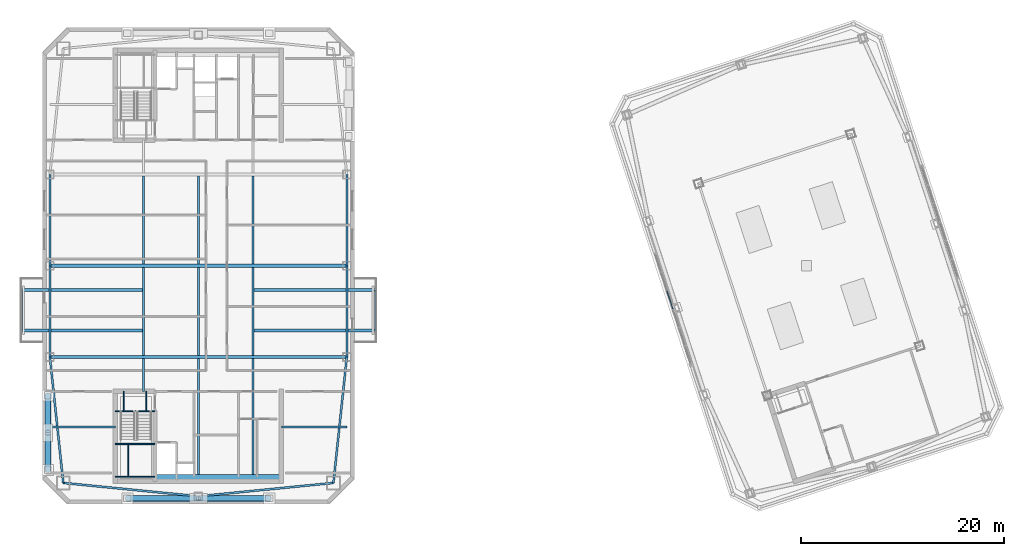
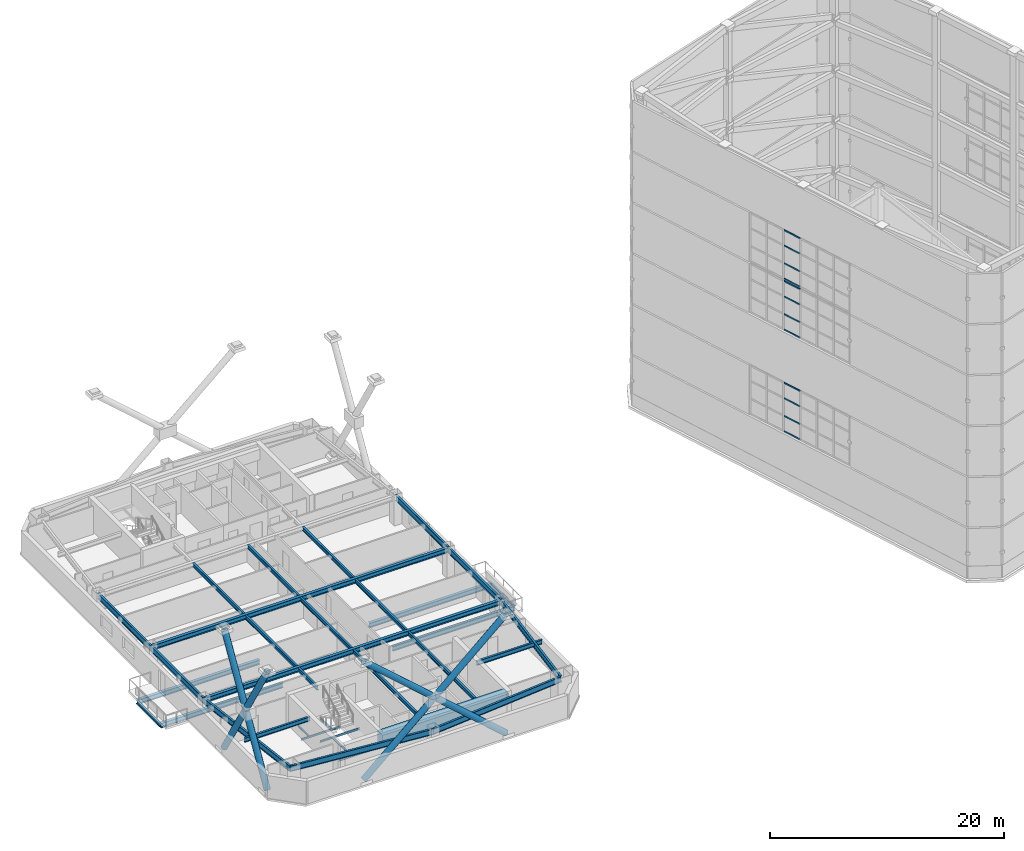
# One storey, part 4 of 56: 34 beams, 20 members, 3 elements without a shape of their own.
"""IFC4 building model written with IfcOpenShell, lengths in metres."""

from ifc_helpers import new_model, si_unit, direction, frame, origin, origin_2d, place, context, subcontext, project, spatial, rectangle, hollow_rectangle, hollow_circle, i_section, extrude, material, layer, layer_set, material_profile, profile_set, type_object, element, aggregate, save


model = new_model("IFC4")

# Units and contexts
model_context = context("Model", 3, precision=1e-05, world=origin(), true_north=direction((0.0, 1.0)))
body_context = subcontext(model_context, "Body", "Model", "MODEL_VIEW")
ifc_project = project(units=[si_unit("LENGTHUNIT", "METRE"), si_unit("AREAUNIT", "SQUARE_METRE"), si_unit("VOLUMEUNIT", "CUBIC_METRE"), si_unit("PLANEANGLEUNIT", "RADIAN"), si_unit("MASSUNIT", "GRAM", prefix="KILO")], contexts=[model_context])

# Site, building, storey
site_placement = place(None, origin())
site = spatial("IfcSite", under=ifc_project, at=site_placement, CompositionType="ELEMENT")
building_placement = place(site_placement, origin())
building = spatial("IfcBuilding", under=site, at=building_placement, Name="Qiaolan Cultural Towers", CompositionType="ELEMENT")
storey_placement = place(building_placement, frame((0.0, 0.0, 250.39990234375)))
storey = spatial("IfcBuildingStorey", under=building, at=storey_placement, Name="L68", CompositionType="ELEMENT", Elevation=250.39990234375)

# Beams
ifc_material_1 = material(Name="Steel Q355B", Category="steel")
ifc_material_profile_1 = material_profile(ifc_material_1, i_section(OverallWidth=0.300048828125, OverallDepth=0.488037109375, WebThickness=0.010986328125, FlangeThickness=0.01806640625, at=origin_2d()), Name="HM488x300x11x18")
ifc_profile_set_1 = profile_set([ifc_material_profile_1], Name="Steel Q355B")
beam_type_1 = type_object("IfcBeamType", Name="BM-HM488x300x11x18", PredefinedType="BEAM", material=ifc_profile_set_1)
for number, where, z_axis, x_axis, name in (
    (1, (24.60009765625, 27.60009765625, -0.52392578125), (-1.0, 0.0, 0.0), (0.0, -1.0, 0.0), "L68 T1 Tree Balcony Back-Spanned Bracket Beam"),
    (2, (24.60009765625, 31.60009765625, -0.52392578125), (-1.0, 0.0, 0.0), (0.0, -1.0, 0.0), "L68 T1 Tree Balcony Back-Spanned Bracket Beam"),
    (3, (35.39990234375, 27.60009765625, -0.52392578125), (1.0, 0.0, 0.0), (0.0, 1.0, 0.0), "L68 T1 Tree Balcony Back-Spanned Bracket Beam"),
    (4, (35.39990234375, 31.60009765625, -0.52392578125), (1.0, 0.0, 0.0), (0.0, 1.0, 0.0), "L68 T1 Tree Balcony Back-Spanned Bracket Beam"),
):
    element("IfcBeam", number, at=place(storey_placement, frame(where, z_axis=z_axis, x_axis=x_axis)), inside=storey, type_object=beam_type_1, Name=name, PredefinedType="BEAM", context=body_context, shape_type="SweptSolid", body=[
        extrude(i_section(OverallWidth=0.300048828125, OverallDepth=0.488037109375, WebThickness=0.010986328125, FlangeThickness=0.01806640625, at=origin_2d()), origin(), (0.0, 0.0, 1.0), 12.050048828125),
    ])
for number, where, z_axis, x_axis, name in (
    (5, (15.35009765625, 25.0, 2.696044921875), (1.0, 0.0, 0.0), (0.0, 1.0, 0.0), "L68 T1 Primary Transverse Girder V1"),
    (6, (15.35009765625, 34.0, 2.696044921875), (1.0, 0.0, 0.0), (0.0, 1.0, 0.0), "L68 T1 Primary Transverse Girder V2"),
):
    element("IfcBeam", number, at=place(storey_placement, frame(where, z_axis=z_axis, x_axis=x_axis)), inside=storey, type_object=beam_type_1, Name=name, PredefinedType="BEAM", context=body_context, shape_type="SweptSolid", body=[
        extrude(i_section(OverallWidth=0.300048828125, OverallDepth=0.488037109375, WebThickness=0.010986328125, FlangeThickness=0.01806640625, at=origin_2d()), origin(), (0.0, 0.0, 1.0), 29.2998046875),
    ])
ifc_material_2 = material(Name="Steel Q355B", Category="steel")
ifc_material_profile_2 = material_profile(ifc_material_2, i_section(OverallWidth=0.175048828125, OverallDepth=0.35009765625, WebThickness=0.007080078125, FlangeThickness=0.010986328125, at=origin_2d()), Name="HN350x175x7x11")
ifc_profile_set_2 = profile_set([ifc_material_profile_2], Name="Steel Q355B")
beam_type_2 = type_object("IfcBeamType", Name="BM-JST-HN350x175x7x11", PredefinedType="JOIST", material=ifc_profile_set_2)
for number, where, z_axis, x_axis, name in (
    (7, (12.550048828125, 27.60009765625, -0.52392578125), (0.0, 1.0, 0.0), (-1.0, 0.0, 0.0), "L68 T1 Tree Balcony Outer Edge Beam"),
    (8, (47.449951171875, 27.60009765625, -0.52392578125), (0.0, 1.0, 0.0), (-1.0, 0.0, 0.0), "L68 T1 Tree Balcony Outer Edge Beam"),
):
    element("IfcBeam", number, at=place(storey_placement, frame(where, z_axis=z_axis, x_axis=x_axis)), inside=storey, type_object=beam_type_2, Name=name, PredefinedType="JOIST", context=body_context, shape_type="SweptSolid", body=[
        extrude(i_section(OverallWidth=0.175048828125, OverallDepth=0.35009765625, WebThickness=0.007080078125, FlangeThickness=0.010986328125, at=origin_2d()), origin(), (0.0, 0.0, 1.0), 4.0),
    ])
ifc_material_3 = material(Name="Steel Q355B", Category="steel")
ifc_material_profile_3 = material_profile(ifc_material_3, i_section(OverallWidth=0.199951171875, OverallDepth=0.39990234375, WebThickness=0.008056640625, FlangeThickness=0.012939453125, at=origin_2d()), Name="HN400x200x8x13")
ifc_profile_set_3 = profile_set([ifc_material_profile_3], Name="Steel Q355B")
beam_type_3 = type_object("IfcBeamType", Name="BM-JST-HN400x200x8x13", PredefinedType="JOIST", material=ifc_profile_set_3)
beam_1_placement = place(storey_placement, frame((24.60009765625, 21.60009765625, 2.739990234375), z_axis=(0.0, 1.0, 0.0), x_axis=(-1.0, 0.0, 0.0)))
element("IfcBeam", 9, at=beam_1_placement, inside=storey, type_object=beam_type_3, Name="L68 T1 Secondary Floor Joist U1-1", PredefinedType="JOIST", context=body_context, shape_type="SweptSolid", body=[
    extrude(i_section(OverallWidth=0.199951171875, OverallDepth=0.39990234375, WebThickness=0.008056640625, FlangeThickness=0.012939453125, at=origin_2d()), origin(), (0.0, 0.0, 1.0), 3.25),
])
for number, where, z_axis, x_axis, name in (
    (10, (24.60009765625, 25.14990234375, 2.739990234375), (0.0, 1.0, 0.0), (-1.0, 0.0, 0.0), "L68 T1 Secondary Floor Joist U1-2"),
    (11, (24.60009765625, 34.14990234375, 2.739990234375), (0.0, 1.0, 0.0), (-1.0, 0.0, 0.0), "L68 T1 Secondary Floor Joist U1-3"),
):
    element("IfcBeam", number, at=place(storey_placement, frame(where, z_axis=z_axis, x_axis=x_axis)), inside=storey, type_object=beam_type_3, Name=name, PredefinedType="JOIST", context=body_context, shape_type="SweptSolid", body=[
        extrude(i_section(OverallWidth=0.199951171875, OverallDepth=0.39990234375, WebThickness=0.008056640625, FlangeThickness=0.012939453125, at=origin_2d()), origin(), (0.0, 0.0, 1.0), 8.7001953125),
    ])
beam_2_placement = place(storey_placement, frame((30.0, 13.39990234375, 2.739990234375), z_axis=(0.0, 1.0, 0.0), x_axis=(-1.0, 0.0, 0.0)))
element("IfcBeam", 12, at=beam_2_placement, inside=storey, type_object=beam_type_3, Name="L68 T1 Secondary Floor Joist U2-1", PredefinedType="JOIST", context=body_context, shape_type="SweptSolid", body=[
    extrude(i_section(OverallWidth=0.199951171875, OverallDepth=0.39990234375, WebThickness=0.008056640625, FlangeThickness=0.012939453125, at=origin_2d()), origin(), (0.0, 0.0, 1.0), 11.4501953125),
])
for number, where, z_axis, x_axis, name in (
    (13, (30.0, 25.14990234375, 2.739990234375), (0.0, 1.0, 0.0), (-1.0, 0.0, 0.0), "L68 T1 Secondary Floor Joist U2-2"),
    (14, (30.0, 34.14990234375, 2.739990234375), (0.0, 1.0, 0.0), (-1.0, 0.0, 0.0), "L68 T1 Secondary Floor Joist U2-3"),
):
    element("IfcBeam", number, at=place(storey_placement, frame(where, z_axis=z_axis, x_axis=x_axis)), inside=storey, type_object=beam_type_3, Name=name, PredefinedType="JOIST", context=body_context, shape_type="SweptSolid", body=[
        extrude(i_section(OverallWidth=0.199951171875, OverallDepth=0.39990234375, WebThickness=0.008056640625, FlangeThickness=0.012939453125, at=origin_2d()), origin(), (0.0, 0.0, 1.0), 8.7001953125),
    ])
beam_3_placement = place(storey_placement, frame((35.39990234375, 13.39990234375, 2.739990234375), z_axis=(0.0, 1.0, 0.0), x_axis=(-1.0, 0.0, 0.0)))
element("IfcBeam", 15, at=beam_3_placement, inside=storey, type_object=beam_type_3, Name="L68 T1 Secondary Floor Joist U3-1", PredefinedType="JOIST", context=body_context, shape_type="SweptSolid", body=[
    extrude(i_section(OverallWidth=0.199951171875, OverallDepth=0.39990234375, WebThickness=0.008056640625, FlangeThickness=0.012939453125, at=origin_2d()), origin(), (0.0, 0.0, 1.0), 11.4501953125),
])
for number, where, z_axis, x_axis, name in (
    (16, (35.39990234375, 25.14990234375, 2.739990234375), (0.0, 1.0, 0.0), (-1.0, 0.0, 0.0), "L68 T1 Secondary Floor Joist U3-2"),
    (17, (35.39990234375, 34.14990234375, 2.739990234375), (0.0, 1.0, 0.0), (-1.0, 0.0, 0.0), "L68 T1 Secondary Floor Joist U3-3"),
):
    element("IfcBeam", number, at=place(storey_placement, frame(where, z_axis=z_axis, x_axis=x_axis)), inside=storey, type_object=beam_type_3, Name=name, PredefinedType="JOIST", context=body_context, shape_type="SweptSolid", body=[
        extrude(i_section(OverallWidth=0.199951171875, OverallDepth=0.39990234375, WebThickness=0.008056640625, FlangeThickness=0.012939453125, at=origin_2d()), origin(), (0.0, 0.0, 1.0), 8.7001953125),
    ])
ifc_material_4 = material(Name="Steel Q355B", Category="steel")
ifc_material_profile_4 = material_profile(ifc_material_4, i_section(OverallWidth=0.199951171875, OverallDepth=0.449951171875, WebThickness=0.009033203125, FlangeThickness=0.013916015625, at=origin_2d()), Name="HN450x200x9x14")
ifc_profile_set_4 = profile_set([ifc_material_profile_4], Name="Steel Q355B")
beam_type_4 = type_object("IfcBeamType", Name="BM-LNT-HN450x200x9x14", PredefinedType="LINTEL", material=ifc_profile_set_4)
for number, where, z_axis, x_axis, name in (
    (18, (21.800048828125, 18.10009765625, 2.715087890625), (-1.0, 0.0, 0.0), (0.0, -1.0, 0.0), "L68 T1 Core Flank Tie Lintel WS"),
    (19, (38.199951171875, 18.10009765625, 2.715087890625), (1.0, 0.0, 0.0), (0.0, 1.0, 0.0), "L68 T1 Core Flank Tie Lintel ES"),
):
    element("IfcBeam", number, at=place(storey_placement, frame(where, z_axis=z_axis, x_axis=x_axis)), inside=storey, type_object=beam_type_4, Name=name, PredefinedType="LINTEL", context=body_context, shape_type="SweptSolid", body=[
        extrude(i_section(OverallWidth=0.199951171875, OverallDepth=0.449951171875, WebThickness=0.009033203125, FlangeThickness=0.013916015625, at=origin_2d()), origin(), (0.0, 0.0, 1.0), 6.449951171875),
    ])
ifc_material_5 = material(Name="Concrete C50", Category="concrete")
ifc_material_profile_5 = material_profile(ifc_material_5, rectangle(XDim=0.89990234375, YDim=1.10009765625, at=origin_2d()), Name="RC900x1100")
ifc_profile_set_5 = profile_set([ifc_material_profile_5], Name="Concrete C50")
beam_type_5 = type_object("IfcBeamType", Name="BM-RC900x1100", PredefinedType="BEAM", material=ifc_profile_set_5)
beam_4_placement = place(storey_placement, frame((25.719970703125, 12.949951171875, 2.39013671875), z_axis=(1.0, 0.0, 0.0), x_axis=(0.0, 1.0, 0.0)))
element("IfcBeam", 20, at=beam_4_placement, inside=storey, type_object=beam_type_5, Name="L68 T1 Core Header Girder S", PredefinedType="BEAM", context=body_context, shape_type="SweptSolid", body=[
    extrude(rectangle(XDim=0.89990234375, YDim=1.10009765625, at=origin_2d()), origin(), (0.0, 0.0, 1.0), 12.47998046875),
])
ifc_material_6 = material(Name="Steel Q355B", Category="steel")
ifc_material_profile_6 = material_profile(ifc_material_6, i_section(OverallWidth=0.199951171875, OverallDepth=0.60009765625, WebThickness=0.010986328125, FlangeThickness=0.01708984375, at=origin_2d()), Name="HN600x200x11x17")
ifc_profile_set_6 = profile_set([ifc_material_profile_6], Name="Steel Q355B")
beam_type_6 = type_object("IfcBeamType", Name="BM-SPD-HN600x200x11x17", PredefinedType="SPANDREL", material=ifc_profile_set_6)
for number, where, z_axis, x_axis, name in (
    (21, (16.669921875, 12.570068359375, 2.64013671875), (0.995132371263, -0.098547266143, 0.0), (0.098547266143, 0.995132371263, 0.0), "L68 T1 Perimeter Spandrel Beam 1"),
    (22, (30.0, 11.25, 2.64013671875), (0.995132371263, 0.098547266143, 0.0), (-0.098547266143, 0.995132371263, 0.0), "L68 T1 Perimeter Spandrel Beam 2"),
):
    element("IfcBeam", number, at=place(storey_placement, frame(where, z_axis=z_axis, x_axis=x_axis)), inside=storey, type_object=beam_type_6, Name=name, PredefinedType="SPANDREL", context=body_context, shape_type="SweptSolid", body=[
        extrude(i_section(OverallWidth=0.199951171875, OverallDepth=0.60009765625, WebThickness=0.010986328125, FlangeThickness=0.01708984375, at=origin_2d()), origin(), (0.0, 0.0, 1.0), 13.395263671875),
    ])
beam_5_placement = place(storey_placement, frame((43.330078125, 12.570068359375, 2.64013671875), z_axis=(0.105587580773, 0.994410007384, 0.0), x_axis=(-0.994410007384, 0.105587580773, 0.0)))
element("IfcBeam", 23, at=beam_5_placement, inside=storey, type_object=beam_type_6, Name="L68 T1 Perimeter Spandrel Beam 3", PredefinedType="SPANDREL", context=body_context, shape_type="SweptSolid", body=[
    extrude(i_section(OverallWidth=0.199951171875, OverallDepth=0.60009765625, WebThickness=0.010986328125, FlangeThickness=0.01708984375, at=origin_2d()), origin(), (0.0, 0.0, 1.0), 12.499755859375),
])
for number, where, z_axis, x_axis, name in (
    (24, (44.64990234375, 25.0, 2.64013671875), (0.0, 1.0, 0.0), (-1.0, 0.0, 0.0), "L68 T1 Perimeter Spandrel Beam 4"),
    (25, (44.64990234375, 34.0, 2.64013671875), (0.0, 1.0, 0.0), (-1.0, 0.0, 0.0), "L68 T1 Perimeter Spandrel Beam 5"),
    (26, (15.35009765625, 43.0, 2.64013671875), (0.0, -1.0, 0.0), (1.0, 0.0, 0.0), "L68 T1 Perimeter Spandrel Beam 10"),
    (27, (15.35009765625, 34.0, 2.64013671875), (0.0, -1.0, 0.0), (1.0, 0.0, 0.0), "L68 T1 Perimeter Spandrel Beam 11"),
):
    element("IfcBeam", number, at=place(storey_placement, frame(where, z_axis=z_axis, x_axis=x_axis)), inside=storey, type_object=beam_type_6, Name=name, PredefinedType="SPANDREL", context=body_context, shape_type="SweptSolid", body=[
        extrude(i_section(OverallWidth=0.199951171875, OverallDepth=0.60009765625, WebThickness=0.010986328125, FlangeThickness=0.01708984375, at=origin_2d()), origin(), (0.0, 0.0, 1.0), 9.0),
    ])
beam_6_placement = place(storey_placement, frame((15.35009765625, 25.0, 2.64013671875), z_axis=(0.105587580773, -0.994410007384, 0.0), x_axis=(0.994410007384, 0.105587580773, 0.0)))
element("IfcBeam", 28, at=beam_6_placement, inside=storey, type_object=beam_type_6, Name="L68 T1 Perimeter Spandrel Beam 12", PredefinedType="SPANDREL", context=body_context, shape_type="SweptSolid", body=[
    extrude(i_section(OverallWidth=0.199951171875, OverallDepth=0.60009765625, WebThickness=0.010986328125, FlangeThickness=0.01708984375, at=origin_2d()), origin(), (0.0, 0.0, 1.0), 12.499755859375),
])
ifc_material_7 = material(Name="Steel Q355B", Category="steel")
ifc_material_profile_7 = material_profile(ifc_material_7, i_section(OverallWidth=0.10009765625, OverallDepth=0.199951171875, WebThickness=0.005615234375, FlangeThickness=0.008056640625, at=origin_2d()), Name="HN200x100x5.5x8")
ifc_profile_set_7 = profile_set([ifc_material_profile_7], Name="Steel Q355B")
beam_type_7 = type_object("IfcBeamType", Name="BM-STTRIM-200", PredefinedType="BEAM", material=ifc_profile_set_7)
beam_7_placement = place(storey_placement, frame((21.800048828125, 19.659912109375, -0.4599609375), z_axis=(1.0, 0.0, 0.0), x_axis=(0.0, 1.0, 0.0)))
element("IfcBeam", 29, at=beam_7_placement, inside=storey, type_object=beam_type_7, Name="L68 ST-W1 Floor Landing Header Beam", PredefinedType="BEAM", context=body_context, shape_type="SweptSolid", body=[
    extrude(i_section(OverallWidth=0.10009765625, OverallDepth=0.199951171875, WebThickness=0.005615234375, FlangeThickness=0.008056640625, at=origin_2d()), origin(), (0.0, 0.0, 1.0), 3.919921875),
])
for number, where, z_axis, x_axis, name in (
    (30, (22.64990234375, 21.60009765625, -0.4599609375), (0.0, -1.0, 0.0), (1.0, 0.0, 0.0), "L68 ST-W1 Floor Landing Stringer 1"),
    (31, (24.85009765625, 21.60009765625, -0.4599609375), (0.0, -1.0, 0.0), (1.0, 0.0, 0.0), "L68 ST-W1 Floor Landing Stringer 2"),
):
    element("IfcBeam", number, at=place(storey_placement, frame(where, z_axis=z_axis, x_axis=x_axis)), inside=storey, type_object=beam_type_7, Name=name, PredefinedType="BEAM", context=body_context, shape_type="SweptSolid", body=[
        extrude(i_section(OverallWidth=0.10009765625, OverallDepth=0.199951171875, WebThickness=0.005615234375, FlangeThickness=0.008056640625, at=origin_2d()), origin(), (0.0, 0.0, 1.0), 1.940185546875),
    ])
for number, where, z_axis, x_axis, name in (
    (32, (21.800048828125, 16.411376953125, 1.300048828125), (1.0, 0.0, 0.0), (0.0, 1.0, 0.0), "L68 ST-W1 Stair Landing Support Beam 1-1"),
    (33, (21.800048828125, 13.179931640625, 1.300048828125), (1.0, 0.0, 0.0), (0.0, 1.0, 0.0), "L68 ST-W1 Stair Landing Support Beam 1-2"),
):
    element("IfcBeam", number, at=place(storey_placement, frame(where, z_axis=z_axis, x_axis=x_axis)), inside=storey, type_object=beam_type_7, Name=name, PredefinedType="BEAM", context=body_context, shape_type="SweptSolid", body=[
        extrude(i_section(OverallWidth=0.10009765625, OverallDepth=0.199951171875, WebThickness=0.005615234375, FlangeThickness=0.008056640625, at=origin_2d()), origin(), (0.0, 0.0, 1.0), 3.919921875),
    ])
beam_8_placement = place(storey_placement, frame((23.070068359375, 16.411376953125, 1.300048828125), z_axis=(0.0, -1.0, 0.0), x_axis=(1.0, 0.0, 0.0)))
element("IfcBeam", 34, at=beam_8_placement, inside=storey, type_object=beam_type_7, Name="L68 ST-W1 Stair Landing Trimmer 1", PredefinedType="BEAM", context=body_context, shape_type="SweptSolid", body=[
    extrude(i_section(OverallWidth=0.10009765625, OverallDepth=0.199951171875, WebThickness=0.005615234375, FlangeThickness=0.008056640625, at=origin_2d()), origin(), (0.0, 0.0, 1.0), 3.2314453125),
])

# Curtain wall, members
ifc_material_8 = material(Name="Unitized Anodized Aluminium Curtain Wall System", Category="aluminium")
ifc_layer = layer(ifc_material_8, 0.199951171875)
ifc_layer_set = layer_set([ifc_layer], Name="Unitized Anodized Aluminium Curtain Wall System")
curtain_wall_type = type_object("IfcCurtainWallType", Name="CWS-06", PredefinedType="NOTDEFINED", material=ifc_layer_set)
curtain_wall_1_placement = place(storey_placement, origin())
curtain_wall_1 = element("IfcCurtainWall", 35, at=curtain_wall_1_placement, inside=storey, type_object=curtain_wall_type, Name="T2 Crown Tier 2 Fritted Screen Curtain Wall 7", PredefinedType="NOTDEFINED")
ifc_material_9 = material(Name="Extruded Aluminium 6063-T6", Category="aluminium")
ifc_material_profile_8 = material_profile(ifc_material_9, hollow_rectangle(XDim=0.06494140625, YDim=0.14990234375, WallThickness=0.00390625, at=origin_2d()), Name="CWT-150x65x4")
ifc_profile_set_8 = profile_set([ifc_material_profile_8], Name="Extruded Aluminium 6063-T6")
member_type_1 = type_object("IfcMemberType", Name="CWS-06-TRN", PredefinedType="USERDEFINED", material=ifc_profile_set_8)
member_1_placement = place(storey_placement, frame((76.24609375, 31.510498046875, 5.4326171875), z_axis=(0.30899331187, -0.951064210882, 0.0), x_axis=(0.951064210882, 0.30899331187, 0.0)))
member_1 = element("IfcMember", 36, at=member_1_placement, type_object=member_type_1, Name="CW-6 transom 3.1", ObjectType="TRANSOM", PredefinedType="USERDEFINED", context=body_context, shape_type="SweptSolid", body=[
    extrude(hollow_rectangle(XDim=0.06494140625, YDim=0.14990234375, WallThickness=0.00390625, at=origin_2d()), origin(), (0.0, 0.0, 1.0), 1.844970703125),
])
member_2_placement = place(storey_placement, frame((76.24609375, 31.510498046875, 7.030029296875), z_axis=(0.30899331187, -0.951064210882, 0.0), x_axis=(0.951064210882, 0.30899331187, 0.0)))
member_2 = element("IfcMember", 37, at=member_2_placement, type_object=member_type_1, Name="CW-6 transom 3.2", ObjectType="TRANSOM", PredefinedType="USERDEFINED", context=body_context, shape_type="SweptSolid", body=[
    extrude(hollow_rectangle(XDim=0.06494140625, YDim=0.14990234375, WallThickness=0.00390625, at=origin_2d()), origin(), (0.0, 0.0, 1.0), 1.844970703125),
])
member_3_placement = place(storey_placement, frame((76.24609375, 31.510498046875, 8.8701171875), z_axis=(0.30899331187, -0.951064210882, 0.0), x_axis=(0.951064210882, 0.30899331187, 0.0)))
member_3 = element("IfcMember", 38, at=member_3_placement, type_object=member_type_1, Name="CW-6 transom 3.3", ObjectType="TRANSOM", PredefinedType="USERDEFINED", context=body_context, shape_type="SweptSolid", body=[
    extrude(hollow_rectangle(XDim=0.06494140625, YDim=0.14990234375, WallThickness=0.00390625, at=origin_2d()), origin(), (0.0, 0.0, 1.0), 1.844970703125),
])
member_4_placement = place(storey_placement, frame((76.24609375, 31.510498046875, 10.467529296875), z_axis=(0.30899331187, -0.951064210882, 0.0), x_axis=(0.951064210882, 0.30899331187, 0.0)))
member_4 = element("IfcMember", 39, at=member_4_placement, type_object=member_type_1, Name="CW-6 transom 3.4", ObjectType="TRANSOM", PredefinedType="USERDEFINED", context=body_context, shape_type="SweptSolid", body=[
    extrude(hollow_rectangle(XDim=0.06494140625, YDim=0.14990234375, WallThickness=0.00390625, at=origin_2d()), origin(), (0.0, 0.0, 1.0), 1.844970703125),
])
aggregate(curtain_wall_1, [member_1, member_2, member_3, member_4])

curtain_wall_2_placement = place(storey_placement, origin())
curtain_wall_2 = element("IfcCurtainWall", 40, at=curtain_wall_2_placement, inside=storey, type_object=curtain_wall_type, Name="T2 Crown Tier 4 Fritted Screen Curtain Wall 7", PredefinedType="NOTDEFINED")
member_5_placement = place(storey_placement, frame((76.24609375, 31.510498046875, 16.03271484375), z_axis=(0.30899331187, -0.951064210882, 0.0), x_axis=(0.951064210882, 0.30899331187, 0.0)))
member_5 = element("IfcMember", 41, at=member_5_placement, type_object=member_type_1, Name="CW-6 transom 3.1", ObjectType="TRANSOM", PredefinedType="USERDEFINED", context=body_context, shape_type="SweptSolid", body=[
    extrude(hollow_rectangle(XDim=0.06494140625, YDim=0.14990234375, WallThickness=0.00390625, at=origin_2d()), origin(), (0.0, 0.0, 1.0), 1.844970703125),
])
member_6_placement = place(storey_placement, frame((76.24609375, 31.510498046875, 17.630126953125), z_axis=(0.30899331187, -0.951064210882, 0.0), x_axis=(0.951064210882, 0.30899331187, 0.0)))
member_6 = element("IfcMember", 42, at=member_6_placement, type_object=member_type_1, Name="CW-6 transom 3.2", ObjectType="TRANSOM", PredefinedType="USERDEFINED", context=body_context, shape_type="SweptSolid", body=[
    extrude(hollow_rectangle(XDim=0.06494140625, YDim=0.14990234375, WallThickness=0.00390625, at=origin_2d()), origin(), (0.0, 0.0, 1.0), 1.844970703125),
])
member_7_placement = place(storey_placement, frame((76.24609375, 31.510498046875, 19.47021484375), z_axis=(0.30899331187, -0.951064210882, 0.0), x_axis=(0.951064210882, 0.30899331187, 0.0)))
member_7 = element("IfcMember", 43, at=member_7_placement, type_object=member_type_1, Name="CW-6 transom 3.3", ObjectType="TRANSOM", PredefinedType="USERDEFINED", context=body_context, shape_type="SweptSolid", body=[
    extrude(hollow_rectangle(XDim=0.06494140625, YDim=0.14990234375, WallThickness=0.00390625, at=origin_2d()), origin(), (0.0, 0.0, 1.0), 1.844970703125),
])
member_8_placement = place(storey_placement, frame((76.24609375, 31.510498046875, 21.067626953125), z_axis=(0.30899331187, -0.951064210882, 0.0), x_axis=(0.951064210882, 0.30899331187, 0.0)))
member_8 = element("IfcMember", 44, at=member_8_placement, type_object=member_type_1, Name="CW-6 transom 3.4", ObjectType="TRANSOM", PredefinedType="USERDEFINED", context=body_context, shape_type="SweptSolid", body=[
    extrude(hollow_rectangle(XDim=0.06494140625, YDim=0.14990234375, WallThickness=0.00390625, at=origin_2d()), origin(), (0.0, 0.0, 1.0), 1.844970703125),
])
aggregate(curtain_wall_2, [member_5, member_6, member_7, member_8])

curtain_wall_3_placement = place(storey_placement, origin())
curtain_wall_3 = element("IfcCurtainWall", 45, at=curtain_wall_3_placement, inside=storey, type_object=curtain_wall_type, Name="T2 Crown Tier 5 Fritted Screen Curtain Wall 7", PredefinedType="NOTDEFINED")
member_9_placement = place(storey_placement, frame((76.24609375, 31.510498046875, 21.33251953125), z_axis=(0.30899331187, -0.951064210882, 0.0), x_axis=(0.951064210882, 0.30899331187, 0.0)))
member_9 = element("IfcMember", 46, at=member_9_placement, type_object=member_type_1, Name="CW-6 transom 3.1", ObjectType="TRANSOM", PredefinedType="USERDEFINED", context=body_context, shape_type="SweptSolid", body=[
    extrude(hollow_rectangle(XDim=0.06494140625, YDim=0.14990234375, WallThickness=0.00390625, at=origin_2d()), origin(), (0.0, 0.0, 1.0), 1.844970703125),
])
member_10_placement = place(storey_placement, frame((76.24609375, 31.510498046875, 22.93017578125), z_axis=(0.30899331187, -0.951064210882, 0.0), x_axis=(0.951064210882, 0.30899331187, 0.0)))
member_10 = element("IfcMember", 47, at=member_10_placement, type_object=member_type_1, Name="CW-6 transom 3.2", ObjectType="TRANSOM", PredefinedType="USERDEFINED", context=body_context, shape_type="SweptSolid", body=[
    extrude(hollow_rectangle(XDim=0.06494140625, YDim=0.14990234375, WallThickness=0.00390625, at=origin_2d()), origin(), (0.0, 0.0, 1.0), 1.844970703125),
])
member_11_placement = place(storey_placement, frame((76.24609375, 31.510498046875, 24.77001953125), z_axis=(0.30899331187, -0.951064210882, 0.0), x_axis=(0.951064210882, 0.30899331187, 0.0)))
member_11 = element("IfcMember", 48, at=member_11_placement, type_object=member_type_1, Name="CW-6 transom 3.3", ObjectType="TRANSOM", PredefinedType="USERDEFINED", context=body_context, shape_type="SweptSolid", body=[
    extrude(hollow_rectangle(XDim=0.06494140625, YDim=0.14990234375, WallThickness=0.00390625, at=origin_2d()), origin(), (0.0, 0.0, 1.0), 1.844970703125),
])
member_12_placement = place(storey_placement, frame((76.24609375, 31.510498046875, 26.36767578125), z_axis=(0.30899331187, -0.951064210882, 0.0), x_axis=(0.951064210882, 0.30899331187, 0.0)))
member_12 = element("IfcMember", 49, at=member_12_placement, type_object=member_type_1, Name="CW-6 transom 3.4", ObjectType="TRANSOM", PredefinedType="USERDEFINED", context=body_context, shape_type="SweptSolid", body=[
    extrude(hollow_rectangle(XDim=0.06494140625, YDim=0.14990234375, WallThickness=0.00390625, at=origin_2d()), origin(), (0.0, 0.0, 1.0), 1.844970703125),
])
aggregate(curtain_wall_3, [member_9, member_10, member_11, member_12])

# Members
ifc_material_10 = material(Name="Steel Q355B", Category="steel")
ifc_material_profile_9 = material_profile(ifc_material_10, hollow_circle(Radius=0.300048828125, WallThickness=0.030029296875, at=origin_2d()), Name="CHS600x30")
ifc_profile_set_9 = profile_set([ifc_material_profile_9], Name="Steel Q355B")
member_type_2 = type_object("IfcMemberType", Name="MBR-BRC-CHS600x30", PredefinedType="BRACE", material=ifc_profile_set_9)
for number, where, z_axis, x_axis, name in (
    (50, (15.14990234375, 13.85009765625, 0.150146484375), (0.0, 0.511399636686, 0.859343011607), (-1.0, 0.0, 0.0), "T1 WEST Perimeter Frame Diagonal W-Z4-M3-D1A"),
    (51, (15.14990234375, 17.52490234375, 6.3251953125), (0.0, 0.511439657673, 0.859319193641), (-1.0, 0.0, 0.0), "T1 WEST Perimeter Frame Diagonal W-Z4-M3-D1B"),
    (52, (15.14990234375, 21.199951171875, 0.150146484375), (0.0, -0.511424725954, 0.859328080353), (1.0, 0.0, 0.0), "T1 WEST Perimeter Frame Diagonal W-Z4-M3-D2A"),
):
    element("IfcMember", number, at=place(storey_placement, frame(where, z_axis=z_axis, x_axis=x_axis)), inside=storey, type_object=member_type_2, Name=name, PredefinedType="BRACE", context=body_context, shape_type="SweptSolid", body=[
        extrude(hollow_circle(Radius=0.300048828125, WallThickness=0.030029296875, at=origin_2d()), origin(), (0.0, 0.0, 1.0), 7.185791015625),
    ])
member_13_placement = place(storey_placement, frame((15.14990234375, 17.52490234375, 6.3251953125), z_axis=(0.0, -0.511414568192, 0.859334125612), x_axis=(1.0, 0.0, 0.0)))
element("IfcMember", 53, at=member_13_placement, inside=storey, type_object=member_type_2, Name="T1 WEST Perimeter Frame Diagonal W-Z4-M3-D2B", PredefinedType="BRACE", context=body_context, shape_type="SweptSolid", body=[
    extrude(hollow_circle(Radius=0.300048828125, WallThickness=0.030029296875, at=origin_2d()), origin(), (0.0, 0.0, 1.0), 7.185546875),
])
member_14_placement = place(storey_placement, frame((23.0, 11.050048828125, 0.150146484375), z_axis=(0.749913414741, 0.0, 0.66153599327), x_axis=(0.0, 1.0, 0.0)))
element("IfcMember", 54, at=member_14_placement, inside=storey, type_object=member_type_2, Name="T1 SOUTH Perimeter Frame Diagonal W-Z4-M3-D1A", PredefinedType="BRACE", context=body_context, shape_type="SweptSolid", body=[
    extrude(hollow_circle(Radius=0.300048828125, WallThickness=0.030029296875, at=origin_2d()), origin(), (0.0, 0.0, 1.0), 9.33447265625),
])
member_15_placement = place(storey_placement, frame((30.0, 11.050048828125, 6.3251953125), z_axis=(0.749926390131, 0.0, 0.661521284151), x_axis=(0.0, 1.0, 0.0)))
element("IfcMember", 55, at=member_15_placement, inside=storey, type_object=member_type_2, Name="T1 SOUTH Perimeter Frame Diagonal W-Z4-M3-D1B", PredefinedType="BRACE", context=body_context, shape_type="SweptSolid", body=[
    extrude(hollow_circle(Radius=0.300048828125, WallThickness=0.030029296875, at=origin_2d()), origin(), (0.0, 0.0, 1.0), 9.334228515625),
])
member_16_placement = place(storey_placement, frame((37.0, 11.050048828125, 0.150146484375), z_axis=(-0.749913414741, 0.0, 0.66153599327), x_axis=(0.0, -1.0, 0.0)))
element("IfcMember", 56, at=member_16_placement, inside=storey, type_object=member_type_2, Name="T1 SOUTH Perimeter Frame Diagonal W-Z4-M3-D2A", PredefinedType="BRACE", context=body_context, shape_type="SweptSolid", body=[
    extrude(hollow_circle(Radius=0.300048828125, WallThickness=0.030029296875, at=origin_2d()), origin(), (0.0, 0.0, 1.0), 9.33447265625),
])
member_17_placement = place(storey_placement, frame((30.0, 11.050048828125, 6.3251953125), z_axis=(-0.749926390131, 0.0, 0.661521284151), x_axis=(0.0, -1.0, 0.0)))
element("IfcMember", 57, at=member_17_placement, inside=storey, type_object=member_type_2, Name="T1 SOUTH Perimeter Frame Diagonal W-Z4-M3-D2B", PredefinedType="BRACE", context=body_context, shape_type="SweptSolid", body=[
    extrude(hollow_circle(Radius=0.300048828125, WallThickness=0.030029296875, at=origin_2d()), origin(), (0.0, 0.0, 1.0), 9.334228515625),
])

save(model, "model.ifc")
